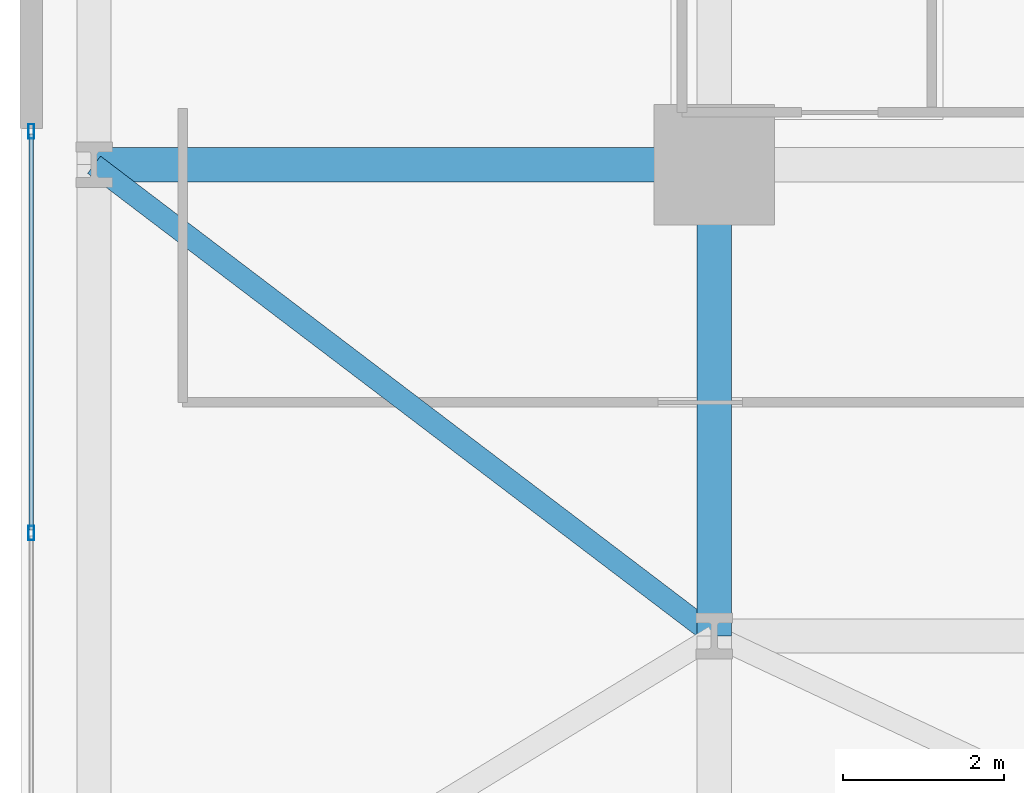
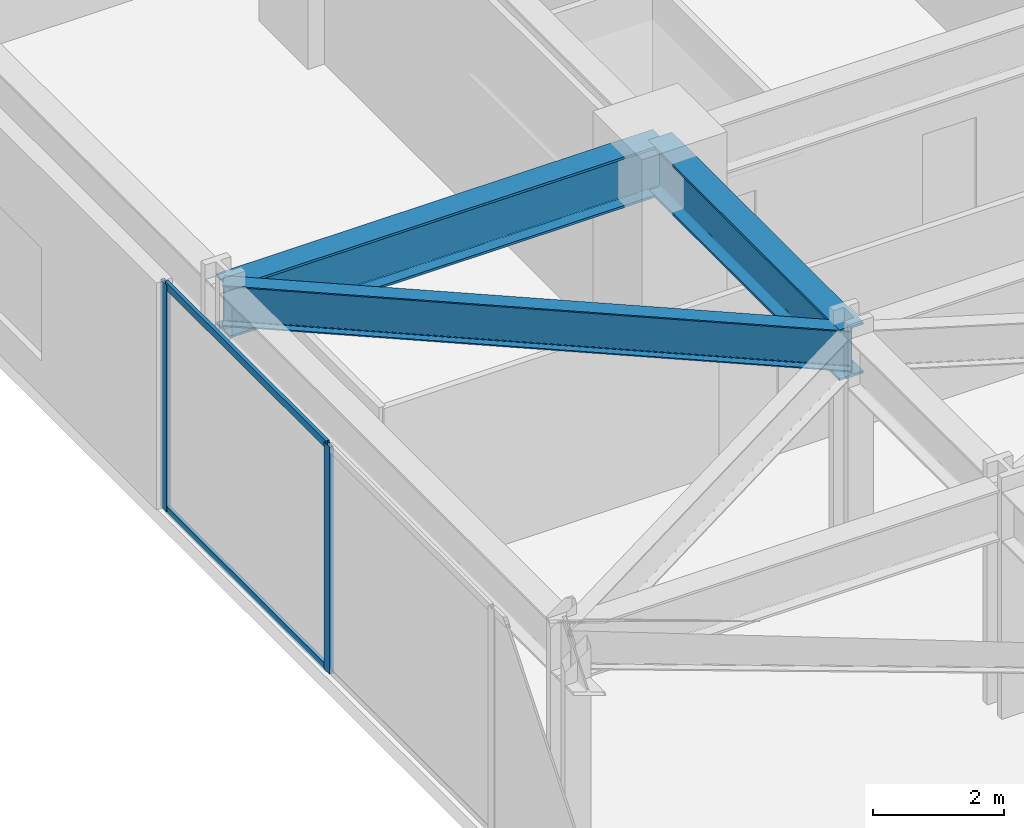
# One storey, part 19 of 28: 4 members, 3 beams, 1 element without a shape of its own.
"""IFC4 building model written with IfcOpenShell, lengths in metres."""

from ifc_helpers import new_model, si_unit, direction, frame, origin, origin_2d, place, context, subcontext, project, spatial, hollow_rectangle, i_section, extrude, material, layer, layer_set, material_profile, profile_set, type_object, element, aggregate, save


model = new_model("IFC4")

# Units and contexts
model_context = context("Model", 3, precision=1e-05, world=origin(), true_north=direction((0.0, 1.0)))
body_context = subcontext(model_context, "Body", "Model", "MODEL_VIEW")
ifc_project = project(units=[si_unit("LENGTHUNIT", "METRE"), si_unit("AREAUNIT", "SQUARE_METRE"), si_unit("VOLUMEUNIT", "CUBIC_METRE"), si_unit("PLANEANGLEUNIT", "RADIAN"), si_unit("MASSUNIT", "GRAM", prefix="KILO")], contexts=[model_context])

# Site, building, storey
site_placement = place(None, origin())
site = spatial("IfcSite", under=ifc_project, at=site_placement, CompositionType="ELEMENT")
building_placement = place(site_placement, origin())
building = spatial("IfcBuilding", under=site, at=building_placement, Name="Kravanh Interchange Tower", CompositionType="ELEMENT")
storey_placement = place(building_placement, frame((0.0, 0.0, 10.800048828125)))
storey = spatial("IfcBuildingStorey", under=building, at=storey_placement, Name="L02", CompositionType="ELEMENT", Elevation=10.800048828125)

# Curtain wall, members
ifc_material_1 = material(Name="Anodised Bronze Aluminium", Category="aluminium")
ifc_layer = layer(ifc_material_1, 0.179931640625)
ifc_layer_set = layer_set([ifc_layer], Name="Unitised Curtain Wall System CW-POD Podium Concourse")
curtain_wall_type = type_object("IfcCurtainWallType", Name="Unitised Curtain Wall System CW-POD Podium Concourse", PredefinedType="NOTDEFINED", material=ifc_layer_set)
curtain_wall_placement = place(storey_placement, origin())
curtain_wall = element("IfcCurtainWall", 1, at=curtain_wall_placement, inside=storey, type_object=curtain_wall_type, Name="L02 Unitised Curtain Wall CW-L02-01", PredefinedType="NOTDEFINED")
ifc_material_2 = material(Name="Anodised Bronze Aluminium", Category="aluminium")
ifc_material_profile_1 = material_profile(ifc_material_2, hollow_rectangle(XDim=0.070068359375, YDim=0.179931640625, WallThickness=0.00390625, at=origin_2d()), Name="ALU70X180X4")
ifc_profile_set_1 = profile_set([ifc_material_profile_1], Name="Anodised Bronze Aluminium")
member_type_1 = type_object("IfcMemberType", Name="Curtain Wall Mullion ALU70X180X4 Bronze", PredefinedType="MULLION", material=ifc_profile_set_1)
member_1_placement = place(storey_placement, frame((0.1201171875, 32.778564453125, 0.0), z_axis=(0.0, 0.0, 1.0), x_axis=(-1.0, 0.0, 0.0)))
member_1 = element("IfcMember", 2, at=member_1_placement, type_object=member_type_1, Name="CW-POD mullion 7", PredefinedType="MULLION", context=body_context, shape_type="SweptSolid", body=[
    extrude(hollow_rectangle(XDim=0.070068359375, YDim=0.179931640625, WallThickness=0.00390625, at=origin_2d()), origin(), (0.0, 0.0, 1.0), 4.22998046875),
])
member_2_placement = place(storey_placement, frame((0.1201171875, 37.764892578125, 0.0), z_axis=(0.0, 0.0, 1.0), x_axis=(-1.0, 0.0, 0.0)))
member_2 = element("IfcMember", 3, at=member_2_placement, type_object=member_type_1, Name="CW-POD mullion 8", PredefinedType="MULLION", context=body_context, shape_type="SweptSolid", body=[
    extrude(hollow_rectangle(XDim=0.070068359375, YDim=0.179931640625, WallThickness=0.00390625, at=origin_2d()), origin(), (0.0, 0.0, 1.0), 4.22998046875),
])
ifc_material_3 = material(Name="Anodised Bronze Aluminium", Category="aluminium")
ifc_material_profile_2 = material_profile(ifc_material_3, hollow_rectangle(XDim=0.06005859375, YDim=0.139892578125, WallThickness=0.00390625, at=origin_2d()), Name="ALU60X140X4")
ifc_profile_set_2 = profile_set([ifc_material_profile_2], Name="Anodised Bronze Aluminium")
member_type_2 = type_object("IfcMemberType", Name="Curtain Wall Transom ALU60X140X4 Bronze", PredefinedType="USERDEFINED", material=ifc_profile_set_2)
member_3_placement = place(storey_placement, frame((0.1201171875, 32.8134765625, 0.030029296875), z_axis=(0.0, 1.0, 0.0), x_axis=(-1.0, 0.0, 0.0)))
member_3 = element("IfcMember", 4, at=member_3_placement, type_object=member_type_2, Name="CW-POD transom 7.1", ObjectType="TRANSOM", PredefinedType="USERDEFINED", context=body_context, shape_type="SweptSolid", body=[
    extrude(hollow_rectangle(XDim=0.06005859375, YDim=0.139892578125, WallThickness=0.00390625, at=origin_2d()), origin(), (0.0, 0.0, 1.0), 4.91650390625),
])
member_4_placement = place(storey_placement, frame((0.1201171875, 32.8134765625, 4.199951171875), z_axis=(0.0, 1.0, 0.0), x_axis=(-1.0, 0.0, 0.0)))
member_4 = element("IfcMember", 5, at=member_4_placement, type_object=member_type_2, Name="CW-POD transom 7.2", ObjectType="TRANSOM", PredefinedType="USERDEFINED", context=body_context, shape_type="SweptSolid", body=[
    extrude(hollow_rectangle(XDim=0.06005859375, YDim=0.139892578125, WallThickness=0.00390625, at=origin_2d()), origin(), (0.0, 0.0, 1.0), 4.91650390625),
])
aggregate(curtain_wall, [member_1, member_2, member_3, member_4])

# Beams
ifc_material_4 = material(Name="Structural Steel S450", Category="steel")
ifc_material_profile_3 = material_profile(ifc_material_4, i_section(OverallWidth=0.423095703125, OverallDepth=0.947998046875, WebThickness=0.02392578125, FlangeThickness=0.042724609375, FilletRadius=0.028076171875, at=origin_2d()), Name="W36X302")
ifc_profile_set_3 = profile_set([ifc_material_profile_3], Name="Structural Steel S450")
beam_type_1 = type_object("IfcBeamType", Name="Floor Beam W36X302 Structural Steel S450", PredefinedType="BEAM", material=ifc_profile_set_3)
beam_1_placement = place(storey_placement, frame((8.60009765625, 31.5, 3.755859375), z_axis=(0.0, 1.0, 0.0), x_axis=(-1.0, 0.0, 0.0)))
element("IfcBeam", 6, at=beam_1_placement, inside=storey, type_object=beam_type_1, Name="L02 Primary Floor Girder 104", PredefinedType="BEAM", context=body_context, shape_type="SweptSolid", body=[
    extrude(i_section(OverallWidth=0.423095703125, OverallDepth=0.947998046875, WebThickness=0.02392578125, FlangeThickness=0.042724609375, FilletRadius=0.028076171875, at=origin_2d()), origin(), (0.0, 0.0, 1.0), 5.85009765625),
])
beam_2_placement = place(storey_placement, frame((0.89990234375, 37.35009765625, 3.755859375), z_axis=(1.0, 0.0, 0.0), x_axis=(0.0, 1.0, 0.0)))
element("IfcBeam", 7, at=beam_2_placement, inside=storey, type_object=beam_type_1, Name="L02 Primary Floor Girder 125", PredefinedType="BEAM", context=body_context, shape_type="SweptSolid", body=[
    extrude(i_section(OverallWidth=0.423095703125, OverallDepth=0.947998046875, WebThickness=0.02392578125, FlangeThickness=0.042724609375, FilletRadius=0.028076171875, at=origin_2d()), origin(), (0.0, 0.0, 1.0), 7.7001953125),
])
ifc_material_5 = material(Name="Structural Steel S355", Category="steel")
ifc_material_profile_4 = material_profile(ifc_material_5, i_section(OverallWidth=0.26708984375, OverallDepth=0.761962890625, WebThickness=0.014404296875, FlangeThickness=0.021484375, FilletRadius=0.02490234375, at=origin_2d()), Name="W30X116")
ifc_profile_set_4 = profile_set([ifc_material_profile_4], Name="Structural Steel S355")
beam_type_2 = type_object("IfcBeamType", Name="Floor Spandrel W30X116 Structural Steel S355", PredefinedType="SPANDREL", material=ifc_profile_set_4)
beam_3_placement = place(storey_placement, frame((8.60009765625, 31.5, 3.848876953125), z_axis=(-0.796264345287, 0.604948834552, 0.0), x_axis=(-0.604948834552, -0.796264345287, 0.0)))
element("IfcBeam", 8, at=beam_3_placement, inside=storey, type_object=beam_type_2, Name="L02 Perimeter Spandrel 106", PredefinedType="SPANDREL", context=body_context, shape_type="SweptSolid", body=[
    extrude(i_section(OverallWidth=0.26708984375, OverallDepth=0.761962890625, WebThickness=0.014404296875, FlangeThickness=0.021484375, FilletRadius=0.02490234375, at=origin_2d()), origin(), (0.0, 0.0, 1.0), 9.67041015625),
])

save(model, "model.ifc")
